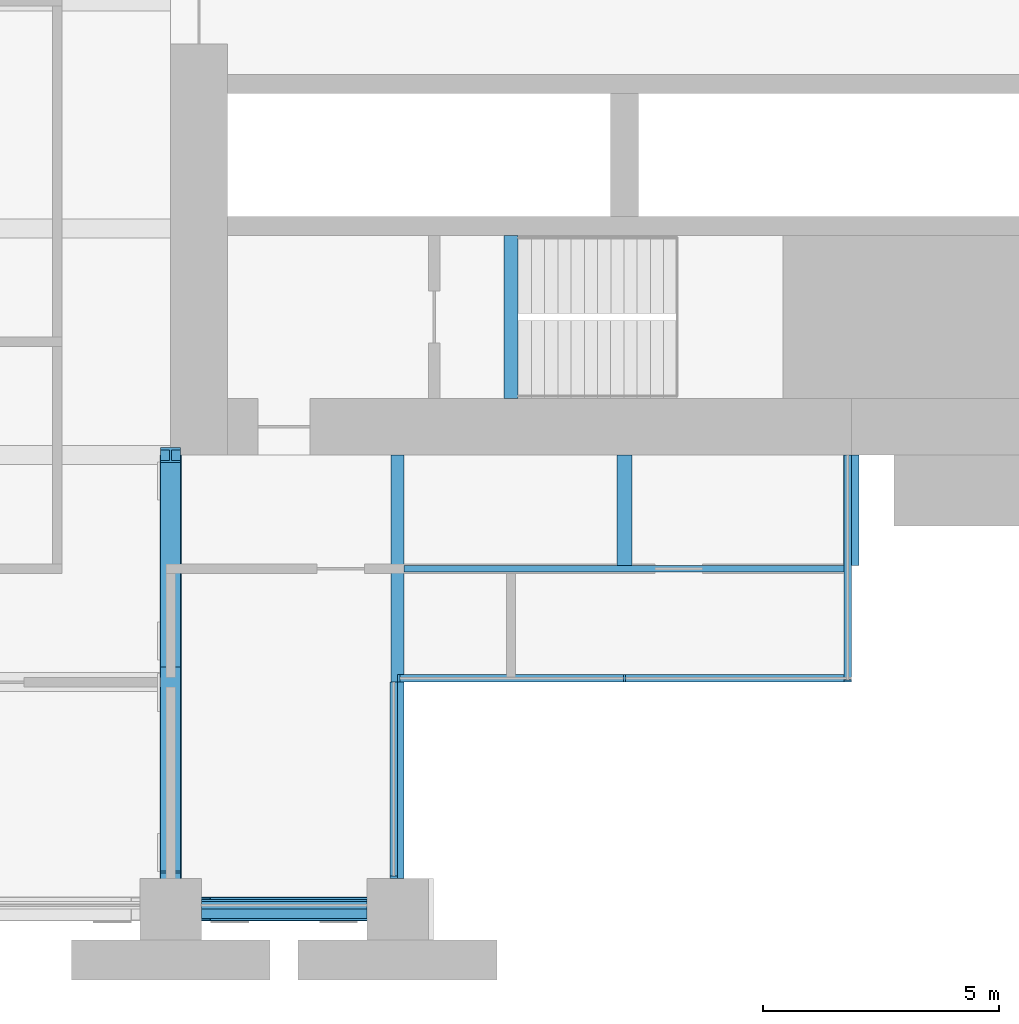
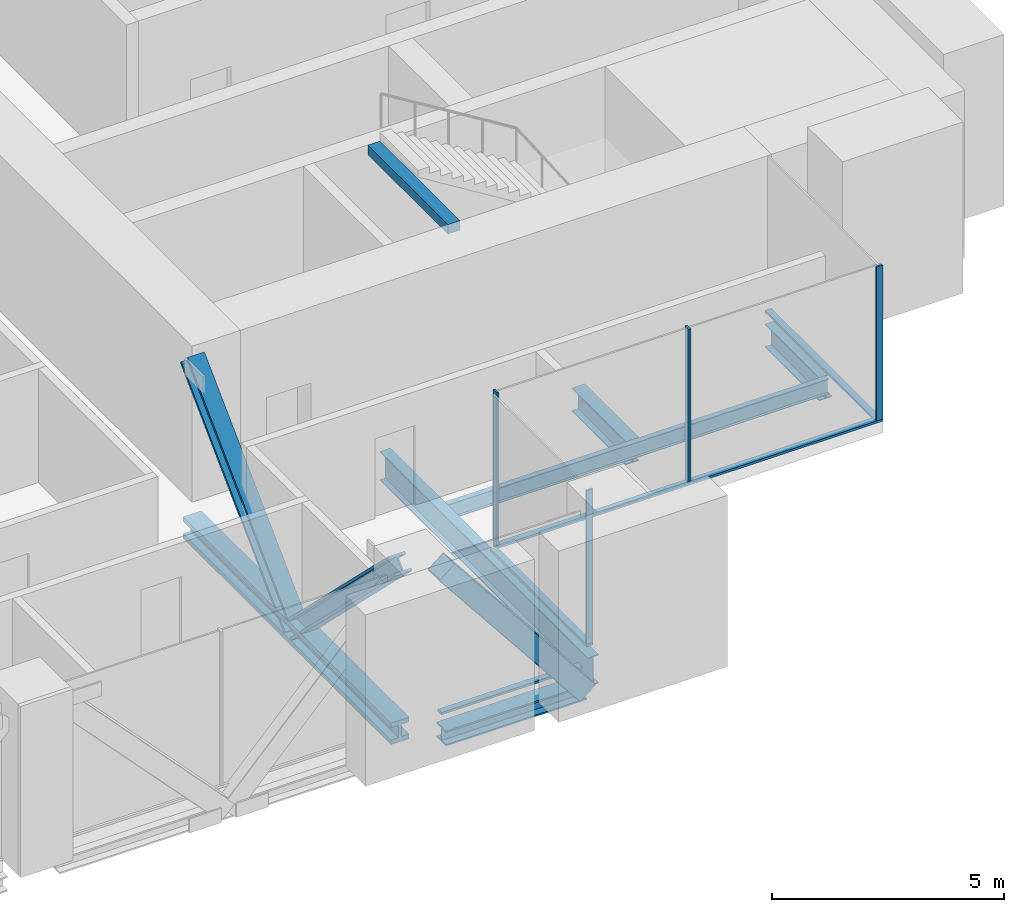
# One storey, part 4 of 15: 11 members, 7 beams, 4 elements without a shape of their own.
"""IFC4 building model written with IfcOpenShell, lengths in metres."""

import ifcopenshell
import ifcopenshell.guid

model = None  # the IFC model being written
_history = None  # IfcOwnerHistory: only IFC2X3 demands one
_inside = {}  # id of a spatial element -> (the spatial element, [elements in it])
_under = {}  # id of a project, library or spatial element -> (it, [spatial elements below it])
_declared = {}  # id of a project -> (the project, [libraries it declares])
_typed = {}  # id of a type object -> (the type object, [elements of that type])
_made_of = {}  # id of a material, layer set ... -> (it, [elements and type objects made of it])


def new_model(schema):
    """Start an empty IFC model of exactly this schema.

    Asked for "IFC4X3", IfcOpenShell would pick the latest addendum, in which some entities
    have other attributes; the version numbers below select the first issue.
    IFC2X3 requires an IfcOwnerHistory on every rooted entity: one is made here for all.
    """
    global model, _history
    if schema == "IFC4X3":
        model = ifcopenshell.file(schema_version=(4, 3, 0, 0))
    else:
        model = ifcopenshell.file(schema=schema)
    _inside.clear()
    _under.clear()
    _declared.clear()
    _typed.clear()
    _made_of.clear()
    _history = None
    if model.schema == "IFC2X3":
        org = make("IfcOrganization", Name="unknown")
        user = make(
            "IfcPersonAndOrganization",
            ThePerson=make("IfcPerson", FamilyName="unknown"),
            TheOrganization=org,
        )
        app = make(
            "IfcApplication",
            ApplicationDeveloper=org,
            Version="unknown",
            ApplicationFullName="unknown",
            ApplicationIdentifier="unknown",
        )
        _history = make(
            "IfcOwnerHistory",
            OwningUser=user,
            OwningApplication=app,
            ChangeAction="ADDED",
            CreationDate=0,
        )
    return model


def make(cls, **values):
    """One entity of the class cls with the attributes given. An attribute that is None is left unset."""
    return model.create_entity(
        cls, **{name: value for name, value in values.items() if value is not None}
    )


def rooted(cls, **values):
    """An entity with a GlobalId (a new one), such as an element, a storey or a relation."""
    return make(cls, GlobalId=ifcopenshell.guid.new(), OwnerHistory=_history, **values)


def si_unit(unit_type, name, prefix=None):
    """IfcSIUnit, for example si_unit("LENGTHUNIT", "METRE", prefix="MILLI")."""
    return make("IfcSIUnit", UnitType=unit_type, Prefix=prefix, Name=name)


def assignment(units):
    """IfcUnitAssignment: the units of a project."""
    return None if units is None else make("IfcUnitAssignment", Units=units)


def point(xyz):
    """IfcCartesianPoint."""
    return None if xyz is None else make("IfcCartesianPoint", Coordinates=xyz)


def direction(xyz):
    """IfcDirection."""
    return None if xyz is None else make("IfcDirection", DirectionRatios=xyz)


def frame(location, z_axis=None, x_axis=None):
    """IfcAxis2Placement3D, a coordinate frame: its origin and axes. An axis left out is left unset."""
    return make(
        "IfcAxis2Placement3D",
        Location=point(location),
        Axis=direction(z_axis),
        RefDirection=direction(x_axis),
    )


def frame_2d(location, x_axis=None):
    """IfcAxis2Placement2D, a coordinate frame in the plane: its origin and x axis."""
    return make(
        "IfcAxis2Placement2D", Location=point(location), RefDirection=direction(x_axis)
    )


def origin():
    """The frame at (0, 0, 0) with its axes left unset."""
    return frame((0.0, 0.0, 0.0))


def origin_2d():
    """The frame at (0, 0) in the plane with its x axis left unset."""
    return frame_2d((0.0, 0.0))


def place(relative_to, where):
    """IfcLocalPlacement: puts the frame where relative to a parent placement (None: the world)."""
    return make(
        "IfcLocalPlacement", PlacementRelTo=relative_to, RelativePlacement=where
    )


def context(
    kind, dimensions, precision=None, world=None, true_north=None, identifier=None
):
    """IfcGeometricRepresentationContext, for example the 3D "Model" context."""
    return make(
        "IfcGeometricRepresentationContext",
        ContextIdentifier=identifier,
        ContextType=kind,
        CoordinateSpaceDimension=dimensions,
        Precision=precision,
        WorldCoordinateSystem=world,
        TrueNorth=true_north,
    )


def subcontext(parent, identifier, kind, view, scale=None):
    """IfcGeometricRepresentationSubContext, for example "Body" below "Model"."""
    return make(
        "IfcGeometricRepresentationSubContext",
        ContextIdentifier=identifier,
        ContextType=kind,
        ParentContext=parent,
        TargetScale=scale,
        TargetView=view,
    )


def project(units=None, contexts=None):
    """IfcProject with its units and contexts."""
    return rooted(
        "IfcProject",
        Name="project",
        RepresentationContexts=contexts,
        UnitsInContext=assignment(units),
    )


def spatial(cls, under=None, at=None, **own):
    """A site, building, storey or space (cls), placed at a placement, below another one or the project."""
    s = rooted(cls, ObjectPlacement=at, **own)
    if under is not None:
        _under.setdefault(under.id(), (under, []))[1].append(s)
    return s


def profile(cls, at=None, kind="AREA", **sizes):
    """A parametric profile (cls). Its sizes go by their IFC names, for example OverallWidth=200.0."""
    return make(cls, ProfileType=kind, Position=at, **sizes)


def rectangle(**sizes):
    """IfcRectangleProfileDef."""
    return profile("IfcRectangleProfileDef", **sizes)


def hollow_rectangle(**sizes):
    """IfcRectangleHollowProfileDef."""
    return profile("IfcRectangleHollowProfileDef", **sizes)


def i_section(**sizes):
    """IfcIShapeProfileDef."""
    return profile("IfcIShapeProfileDef", **sizes)


def extrude(swept, where, along, depth):
    """IfcExtrudedAreaSolid: the profile swept, set in the frame where, extruded along a direction by depth."""
    return make(
        "IfcExtrudedAreaSolid",
        SweptArea=swept,
        Position=where,
        ExtrudedDirection=direction(along),
        Depth=depth,
    )


def shape(context_of_items, identifier, shape_type, items):
    """IfcShapeRepresentation: the items that make up one representation, for example the "Body"."""
    return make(
        "IfcShapeRepresentation",
        ContextOfItems=context_of_items,
        RepresentationIdentifier=identifier,
        RepresentationType=shape_type,
        Items=items,
    )


def material(Name=None, Category=None):
    """IfcMaterial."""
    return make("IfcMaterial", Name=Name, Category=Category)


def material_profile(
    of_material, cross_section, Name=None, Category=None, Priority=None
):
    """IfcMaterialProfile: a cross section and its material."""
    return make(
        "IfcMaterialProfile",
        Name=Name,
        Material=of_material,
        Profile=cross_section,
        Priority=Priority,
        Category=Category,
    )


def profile_set(profiles, Name=None, composite=None):
    """IfcMaterialProfileSet."""
    return make(
        "IfcMaterialProfileSet",
        Name=Name,
        MaterialProfiles=profiles,
        CompositeProfile=composite,
    )


def made_of(thing, what):
    """Note that an element or type object is made of a material, layer set ...; save() writes the relation."""
    if what is not None:
        _made_of.setdefault(what.id(), (what, []))[1].append(thing)
    return thing


def type_object(cls, material=None, **own):
    """A type object (cls), such as IfcWallType, which elements share."""
    return made_of(rooted(cls, **own), material)


def element(
    cls,
    number,
    at=None,
    inside=None,
    cuts=None,
    type_object=None,
    material=None,
    context=None,
    identifier="Body",
    shape_type=None,
    held_by="IfcProductDefinitionShape",
    body=None,
    shapes=None,
    **own,
):
    """One element of the class cls, such as IfcWall. Its Tag is "e" and its number.

    at: its placement. inside: the storey or other place that contains it. cuts: it is an
    opening in that element (IfcRelVoidsElement). A single representation is given by context,
    identifier, shape_type and body (its items); several are given by shapes. held_by: the class
    of the entity that holds the representations. save() writes the other relations.
    """
    e = rooted(cls, Tag="e%d" % number, ObjectPlacement=at, **own)
    if body is not None:
        shapes = [shape(context, identifier, shape_type, body)]
    if shapes is not None:
        e.Representation = make(held_by, Representations=shapes)
    if inside is not None:
        _inside.setdefault(inside.id(), (inside, []))[1].append(e)
    if cuts is not None:
        rooted(
            "IfcRelVoidsElement", RelatingBuildingElement=cuts, RelatedOpeningElement=e
        )
    if type_object is not None:
        _typed.setdefault(type_object.id(), (type_object, []))[1].append(e)
    return made_of(e, material)


def aggregate(whole, parts):
    """IfcRelAggregates: a whole, such as a stair, and the parts it consists of."""
    return rooted("IfcRelAggregates", RelatingObject=whole, RelatedObjects=parts)


def save(model, path):
    """Write the relations noted so far, then the file.

    IfcRelAggregates (storeys below a building ...), IfcRelContainedInSpatialStructure (elements
    in a storey), IfcRelDefinesByType, IfcRelAssociatesMaterial and IfcRelDeclares: one each for
    every whole, place, type object, material and project.
    """
    for whole, parts in _under.values():
        aggregate(whole, parts)
    for where, things in _inside.values():
        rooted(
            "IfcRelContainedInSpatialStructure",
            RelatedElements=things,
            RelatingStructure=where,
        )
    for kind, things in _typed.values():
        rooted("IfcRelDefinesByType", RelatedObjects=things, RelatingType=kind)
    for what, things in _made_of.values():
        rooted("IfcRelAssociatesMaterial", RelatedObjects=things, RelatingMaterial=what)
    for by, libraries in _declared.values():
        rooted("IfcRelDeclares", RelatingContext=by, RelatedDefinitions=libraries)
    model.write(path)


model = new_model("IFC4")

# Units and contexts
model_context = context("Model", 3, precision=1e-05, world=origin(), true_north=direction((0.0, 1.0)))
body_context = subcontext(model_context, "Body", "Model", "MODEL_VIEW")
ifc_project = project(units=[si_unit("LENGTHUNIT", "METRE"), si_unit("AREAUNIT", "SQUARE_METRE"), si_unit("VOLUMEUNIT", "CUBIC_METRE"), si_unit("PLANEANGLEUNIT", "RADIAN"), si_unit("MASSUNIT", "GRAM", prefix="KILO")], contexts=[model_context])

# Site, building, storey
site_placement = place(None, origin())
site = spatial("IfcSite", under=ifc_project, at=site_placement, CompositionType="ELEMENT")
building_placement = place(site_placement, origin())
building = spatial("IfcBuilding", under=site, at=building_placement, Name="Baori Bourse Tower", CompositionType="ELEMENT")
storey_placement = place(building_placement, frame((0.0, 0.0, 87.0)))
storey = spatial("IfcBuildingStorey", under=building, at=storey_placement, Name="L19", CompositionType="ELEMENT", Elevation=87.0)

# Beam
ifc_material_1 = material(Name="Steel A913 Gr 65", Category="steel")
ifc_material_profile_1 = material_profile(ifc_material_1, i_section(OverallWidth=0.4013671875, OverallDepth=0.398681640625, WebThickness=0.02490234375, FlangeThickness=0.03955078125, at=origin_2d()), Name="W14x211")
ifc_profile_set_1 = profile_set([ifc_material_profile_1], Name="Steel A913 Gr 65")
beam_type_1 = type_object("IfcBeamType", Name="Belt truss chord W14x211", PredefinedType="BEAM", material=ifc_profile_set_1)
beam_1_placement = place(storey_placement, frame((39.050048828125, 0.0, -0.49951171875), z_axis=(1.0, 0.0, 0.0), x_axis=(0.0, 1.0, 0.0)))
element("IfcBeam", 1, at=beam_1_placement, inside=storey, type_object=beam_type_1, Name="Belt truss chord L19", PredefinedType="BEAM", context=body_context, shape_type="SweptSolid", body=[
    extrude(i_section(OverallWidth=0.4013671875, OverallDepth=0.398681640625, WebThickness=0.02490234375, FlangeThickness=0.03955078125, at=origin_2d()), origin(), (0.0, 0.0, 1.0), 3.5),
])

# Member
ifc_material_2 = material(Name="Steel A500 Gr C", Category="steel")
ifc_material_profile_2 = material_profile(ifc_material_2, hollow_rectangle(XDim=0.508056640625, YDim=0.508056640625, WallThickness=0.0146484375, InnerFilletRadius=0.00732421875, OuterFilletRadius=0.022216796875, at=origin_2d()), Name="HSS20x20x5/8")
ifc_profile_set_2 = profile_set([ifc_material_profile_2], Name="Steel A500 Gr C")
member_type_1 = type_object("IfcMemberType", Name="Belt truss diagonal HSS20x20x5/8", PredefinedType="BRACE", material=ifc_profile_set_2)
member_1_placement = place(storey_placement, frame((39.050048828125, 0.0, 3.900634765625), z_axis=(0.622510872677, 0.0, -0.782611150827), x_axis=(0.0, 1.0, 0.0)))
element("IfcMember", 2, at=member_1_placement, inside=storey, type_object=member_type_1, Name="Belt truss diagonal L19", PredefinedType="BRACE", context=body_context, shape_type="SweptSolid", body=[
    extrude(hollow_rectangle(XDim=0.508056640625, YDim=0.508056640625, WallThickness=0.0146484375, InnerFilletRadius=0.00732421875, OuterFilletRadius=0.022216796875, at=origin_2d()), origin(), (0.0, 0.0, 1.0), 5.622314453125),
])

# Curtain wall, member
ifc_material_3 = material(Name="Pale anodised aluminium", Category="aluminium")
curtain_wall_type = type_object("IfcCurtainWallType", Name="CW3 Curtain wall", PredefinedType="NOTDEFINED", material=ifc_material_3)
curtain_wall_1_placement = place(storey_placement, origin())
curtain_wall_1 = element("IfcCurtainWall", 3, at=curtain_wall_1_placement, inside=storey, type_object=curtain_wall_type, Name="Curtain wall CW3 L19 12", PredefinedType="NOTDEFINED")
ifc_material_4 = material(Name="Pale anodised aluminium", Category="aluminium")
ifc_material_profile_3 = material_profile(ifc_material_4, rectangle(XDim=0.159912109375, YDim=0.050048828125, at=origin_2d()), Name="Mullion 50x160")
ifc_profile_set_3 = profile_set([ifc_material_profile_3], Name="Pale anodised aluminium")
member_type_2 = type_object("IfcMemberType", Name="CW3 Curtain wall mullion", PredefinedType="MULLION", material=ifc_profile_set_3)
member_2_placement = place(storey_placement, frame((43.1201171875, 0.675048828125, 0.06005859375), z_axis=(0.0, 0.0, 1.0), x_axis=(-1.0, 0.0, 0.0)))
member_2 = element("IfcMember", 4, at=member_2_placement, type_object=member_type_2, Name="Curtain wall CW3 mullion", PredefinedType="MULLION", context=body_context, shape_type="SweptSolid", body=[
    extrude(rectangle(XDim=0.159912109375, YDim=0.050048828125, at=origin_2d()), origin(), (0.0, 0.0, 1.0), 4.0400390625),
])

# Curtain wall, members
curtain_wall_2_placement = place(storey_placement, origin())
curtain_wall_2 = element("IfcCurtainWall", 5, at=curtain_wall_2_placement, inside=storey, type_object=curtain_wall_type, Name="Curtain wall CW3 L19 13", PredefinedType="NOTDEFINED")
member_3_placement = place(storey_placement, frame((43.22509765625, 4.8798828125, 0.06005859375), z_axis=(0.0, 0.0, 1.0), x_axis=(0.0, 1.0, 0.0)))
member_3 = element("IfcMember", 6, at=member_3_placement, type_object=member_type_2, Name="Curtain wall CW3 mullion", PredefinedType="MULLION", context=body_context, shape_type="SweptSolid", body=[
    extrude(rectangle(XDim=0.159912109375, YDim=0.050048828125, at=origin_2d()), origin(), (0.0, 0.0, 1.0), 4.0400390625),
])
member_4_placement = place(storey_placement, frame((48.0, 4.8798828125, 0.06005859375), z_axis=(0.0, 0.0, 1.0), x_axis=(0.0, 1.0, 0.0)))
member_4 = element("IfcMember", 7, at=member_4_placement, type_object=member_type_2, Name="Curtain wall CW3 mullion", PredefinedType="MULLION", context=body_context, shape_type="SweptSolid", body=[
    extrude(rectangle(XDim=0.159912109375, YDim=0.050048828125, at=origin_2d()), origin(), (0.0, 0.0, 1.0), 4.0400390625),
])

# Curtain wall, member
curtain_wall_3_placement = place(storey_placement, origin())
curtain_wall_3 = element("IfcCurtainWall", 8, at=curtain_wall_3_placement, inside=storey, type_object=curtain_wall_type, Name="Curtain wall CW3 L19 14", PredefinedType="NOTDEFINED")
member_5_placement = place(storey_placement, frame((52.719970703125, 4.824951171875, 0.06005859375), z_axis=(0.0, 0.0, 1.0), x_axis=(-1.0, 0.0, 0.0)))
member_5 = element("IfcMember", 9, at=member_5_placement, type_object=member_type_2, Name="Curtain wall CW3 mullion", PredefinedType="MULLION", context=body_context, shape_type="SweptSolid", body=[
    extrude(rectangle(XDim=0.159912109375, YDim=0.050048828125, at=origin_2d()), origin(), (0.0, 0.0, 1.0), 4.0400390625),
])

curtain_wall_4_placement = place(storey_placement, origin())
curtain_wall_4 = element("IfcCurtainWall", 10, at=curtain_wall_4_placement, inside=storey, type_object=curtain_wall_type, Name="Curtain wall CW3 L19 11", PredefinedType="NOTDEFINED")
ifc_material_5 = material(Name="Pale anodised aluminium", Category="aluminium")
ifc_material_profile_4 = material_profile(ifc_material_5, rectangle(XDim=0.159912109375, YDim=0.06005859375, at=origin_2d()), Name="Transom 60x160")
ifc_profile_set_4 = profile_set([ifc_material_profile_4], Name="Pale anodised aluminium")
member_type_3 = type_object("IfcMemberType", Name="CW3 Curtain wall transom", PredefinedType="USERDEFINED", material=ifc_profile_set_4)
member_6_placement = place(storey_placement, frame((39.050048828125, 0.080078125, 0.030029296875), z_axis=(1.0, 0.0, 0.0), x_axis=(0.0, 1.0, 0.0)))
member_6 = element("IfcMember", 11, at=member_6_placement, type_object=member_type_3, Name="Curtain wall CW3 sill rail", ObjectType="TRANSOM", PredefinedType="USERDEFINED", context=body_context, shape_type="SweptSolid", body=[
    extrude(rectangle(XDim=0.159912109375, YDim=0.06005859375, at=origin_2d()), origin(), (0.0, 0.0, 1.0), 3.5),
])
aggregate(curtain_wall_4, [member_6])

# Member
member_7_placement = place(storey_placement, frame((43.1201171875, 0.64990234375, 0.030029296875), z_axis=(0.0, 1.0, 0.0), x_axis=(-1.0, 0.0, 0.0)))
member_7 = element("IfcMember", 12, at=member_7_placement, type_object=member_type_3, Name="Curtain wall CW3 sill rail", ObjectType="TRANSOM", PredefinedType="USERDEFINED", context=body_context, shape_type="SweptSolid", body=[
    extrude(rectangle(XDim=0.159912109375, YDim=0.06005859375, at=origin_2d()), origin(), (0.0, 0.0, 1.0), 4.150146484375),
])

aggregate(curtain_wall_1, [member_7, member_2])

member_8_placement = place(storey_placement, frame((43.199951171875, 4.8798828125, 0.030029296875), z_axis=(1.0, 0.0, 0.0), x_axis=(0.0, 1.0, 0.0)))
member_8 = element("IfcMember", 13, at=member_8_placement, type_object=member_type_3, Name="Curtain wall CW3 sill rail", ObjectType="TRANSOM", PredefinedType="USERDEFINED", context=body_context, shape_type="SweptSolid", body=[
    extrude(rectangle(XDim=0.159912109375, YDim=0.06005859375, at=origin_2d()), origin(), (0.0, 0.0, 1.0), 9.60009765625),
])

aggregate(curtain_wall_2, [member_8, member_3, member_4])

member_9_placement = place(storey_placement, frame((52.719970703125, 4.800048828125, 0.030029296875), z_axis=(0.0, 1.0, 0.0), x_axis=(-1.0, 0.0, 0.0)))
member_9 = element("IfcMember", 14, at=member_9_placement, type_object=member_type_3, Name="Curtain wall CW3 sill rail", ObjectType="TRANSOM", PredefinedType="USERDEFINED", context=body_context, shape_type="SweptSolid", body=[
    extrude(rectangle(XDim=0.159912109375, YDim=0.06005859375, at=origin_2d()), origin(), (0.0, 0.0, 1.0), 4.800048828125),
])

aggregate(curtain_wall_3, [member_9, member_5])

# Beams
ifc_material_6 = material(Name="Steel A992 Gr 50", Category="steel")
ifc_material_profile_5 = material_profile(ifc_material_6, i_section(OverallWidth=0.3251953125, OverallDepth=0.612060546875, WebThickness=0.0126953125, FlangeThickness=0.01904296875, at=origin_2d()), Name="W24x104")
ifc_profile_set_5 = profile_set([ifc_material_profile_5], Name="Steel A992 Gr 50")
beam_type_2 = type_object("IfcBeamType", Name="Core bracket W24x104", PredefinedType="BEAM", material=ifc_profile_set_5)
for number, where, z_axis, x_axis, name in (
    (15, (48.0, 7.270263671875, -0.60595703125), (0.0, 1.0, 0.0), (-1.0, 0.0, 0.0), "Core bracket L19"),
    (16, (52.800048828125, 7.270263671875, -0.60595703125), (0.0, 1.0, 0.0), (-1.0, 0.0, 0.0), "Core bracket L19"),
):
    element("IfcBeam", number, at=place(storey_placement, frame(where, z_axis=z_axis, x_axis=x_axis)), inside=storey, type_object=beam_type_2, Name=name, PredefinedType="BEAM", context=body_context, shape_type="SweptSolid", body=[
        extrude(i_section(OverallWidth=0.3251953125, OverallDepth=0.612060546875, WebThickness=0.0126953125, FlangeThickness=0.01904296875, at=origin_2d()), origin(), (0.0, 0.0, 1.0), 2.329833984375),
    ])
ifc_material_7 = material(Name="Steel A992 Gr 50", Category="steel")
ifc_material_profile_6 = material_profile(ifc_material_7, i_section(OverallWidth=0.2666015625, OverallDepth=0.7568359375, WebThickness=0.013916015625, FlangeThickness=0.019287109375, at=origin_2d()), Name="W30x108")
ifc_profile_set_6 = profile_set([ifc_material_profile_6], Name="Steel A992 Gr 50")
beam_type_3 = type_object("IfcBeamType", Name="Floor beam W30x108", PredefinedType="BEAM", material=ifc_profile_set_6)
beam_2_placement = place(storey_placement, frame((43.199951171875, 0.64990234375, -0.678466796875), z_axis=(0.0, 1.0, 0.0), x_axis=(-1.0, 0.0, 0.0)))
element("IfcBeam", 17, at=beam_2_placement, inside=storey, type_object=beam_type_3, Name="Floor beam L19", PredefinedType="BEAM", context=body_context, shape_type="SweptSolid", body=[
    extrude(i_section(OverallWidth=0.2666015625, OverallDepth=0.7568359375, WebThickness=0.013916015625, FlangeThickness=0.019287109375, at=origin_2d()), origin(), (0.0, 0.0, 1.0), 8.9501953125),
])
ifc_material_8 = material(Name="Steel A913 Gr 65", Category="steel")
ifc_material_profile_7 = material_profile(ifc_material_8, i_section(OverallWidth=0.45458984375, OverallDepth=0.56884765625, WebThickness=0.077880859375, FlangeThickness=0.124755859375, at=origin_2d()), Name="W14x730")
ifc_profile_set_7 = profile_set([ifc_material_profile_7], Name="Steel A913 Gr 65")
beam_type_4 = type_object("IfcBeamType", Name="Outrigger truss chord W14x730", PredefinedType="BEAM", material=ifc_profile_set_7)
beam_3_placement = place(storey_placement, frame((38.39990234375, 0.64990234375, -0.58447265625), z_axis=(0.0, 1.0, 0.0), x_axis=(-1.0, 0.0, 0.0)))
element("IfcBeam", 18, at=beam_3_placement, inside=storey, type_object=beam_type_4, Name="Outrigger truss chord L19", PredefinedType="BEAM", context=body_context, shape_type="SweptSolid", body=[
    extrude(i_section(OverallWidth=0.45458984375, OverallDepth=0.56884765625, WebThickness=0.077880859375, FlangeThickness=0.124755859375, at=origin_2d()), origin(), (0.0, 0.0, 1.0), 8.9501953125),
])

# Members
ifc_material_9 = material(Name="Steel A913 Gr 65", Category="steel")
ifc_material_profile_8 = material_profile(ifc_material_9, i_section(OverallWidth=0.419189453125, OverallDepth=0.45458984375, WebThickness=0.042236328125, FlangeThickness=0.067626953125, at=origin_2d()), Name="W14x370")
ifc_profile_set_8 = profile_set([ifc_material_profile_8], Name="Steel A913 Gr 65")
member_type_4 = type_object("IfcMemberType", Name="Outrigger truss diagonal W14x370", PredefinedType="BRACE", material=ifc_profile_set_8)
for number, where, z_axis, x_axis, name in (
    (19, (38.39990234375, 0.64990234375, 3.8154296875), (0.0, 0.713072298636, -0.701090505511), (-1.0, 0.0, 0.0), "Outrigger truss diagonal L19"),
    (20, (38.39990234375, 5.125, -0.58447265625), (0.0, 0.713072298636, 0.701090505511), (-1.0, 0.0, 0.0), "Outrigger truss diagonal L19"),
):
    element("IfcMember", number, at=place(storey_placement, frame(where, z_axis=z_axis, x_axis=x_axis)), inside=storey, type_object=member_type_4, Name=name, PredefinedType="BRACE", context=body_context, shape_type="SweptSolid", body=[
        extrude(i_section(OverallWidth=0.419189453125, OverallDepth=0.45458984375, WebThickness=0.042236328125, FlangeThickness=0.067626953125, at=origin_2d()), origin(), (0.0, 0.0, 1.0), 6.27587890625),
    ])

# Beams
ifc_material_10 = material(Name="Concrete f'c 50 MPa", Category="concrete")
ifc_material_profile_9 = material_profile(ifc_material_10, rectangle(XDim=0.300048828125, YDim=0.25, at=origin_2d()), Name="RC 300x250")
ifc_profile_set_9 = profile_set([ifc_material_profile_9], Name="Concrete f'c 50 MPa")
beam_type_5 = type_object("IfcBeamType", Name="Stair nib beam RC 300x250", PredefinedType="BEAM", material=ifc_profile_set_9)
beam_4_placement = place(storey_placement, frame((45.60009765625, 10.800048828125, 3.97509765625), z_axis=(0.0, 1.0, 0.0), x_axis=(-1.0, 0.0, 0.0)))
element("IfcBeam", 21, at=beam_4_placement, inside=storey, type_object=beam_type_5, Name="Stair EA nib beam L20", PredefinedType="BEAM", context=body_context, shape_type="SweptSolid", body=[
    extrude(rectangle(XDim=0.300048828125, YDim=0.25, at=origin_2d()), origin(), (0.0, 0.0, 1.0), 3.449951171875),
])
ifc_material_11 = material(Name="Steel A992 Gr 50", Category="steel")
ifc_material_profile_10 = material_profile(ifc_material_11, i_section(OverallWidth=0.140380859375, OverallDepth=0.40380859375, WebThickness=0.007080078125, FlangeThickness=0.01123046875, at=origin_2d()), Name="W16x31")
ifc_profile_set_10 = profile_set([ifc_material_profile_10], Name="Steel A992 Gr 50")
beam_type_6 = type_object("IfcBeamType", Name="Trimmer beam W16x31", PredefinedType="BEAM", material=ifc_profile_set_10)
beam_5_placement = place(storey_placement, frame((43.333251953125, 7.199951171875, -0.501953125), z_axis=(1.0, 0.0, 0.0), x_axis=(0.0, 1.0, 0.0)))
element("IfcBeam", 22, at=beam_5_placement, inside=storey, type_object=beam_type_6, Name="Trimmer beam L19", PredefinedType="BEAM", context=body_context, shape_type="SweptSolid", body=[
    extrude(i_section(OverallWidth=0.140380859375, OverallDepth=0.40380859375, WebThickness=0.007080078125, FlangeThickness=0.01123046875, at=origin_2d()), origin(), (0.0, 0.0, 1.0), 9.466796875),
])

save(model, "model.ifc")
